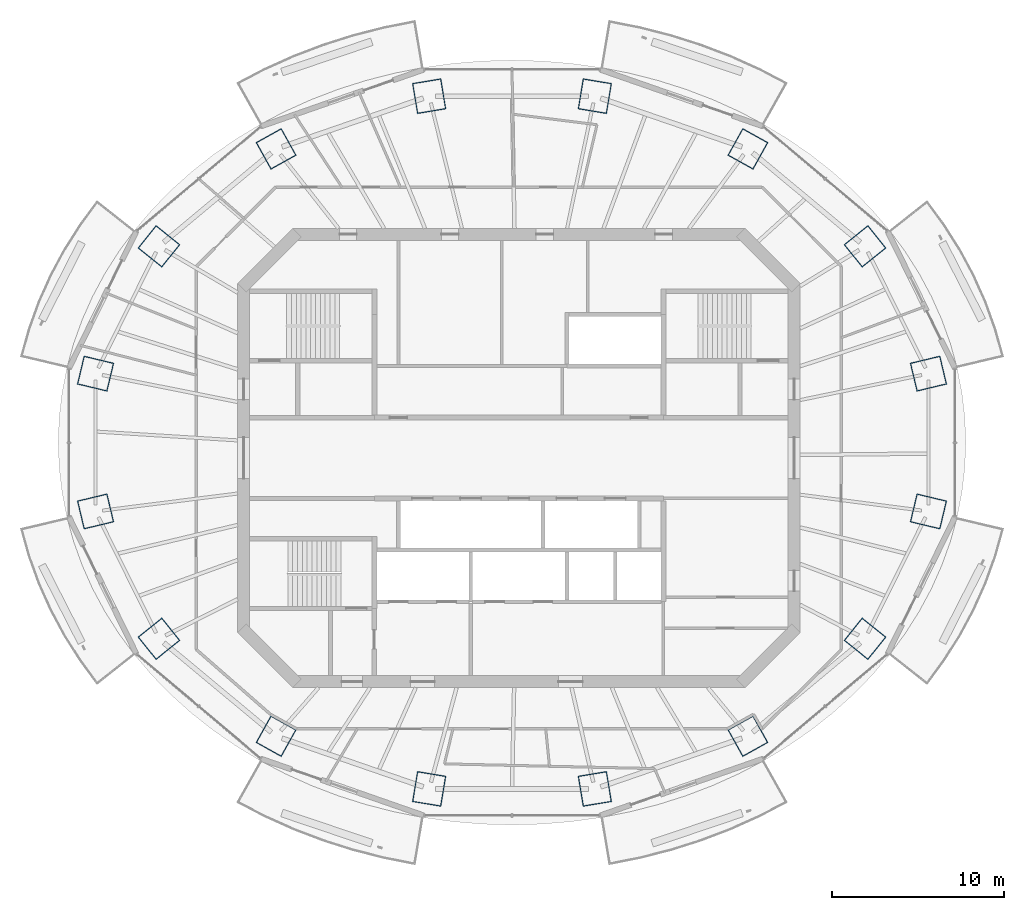
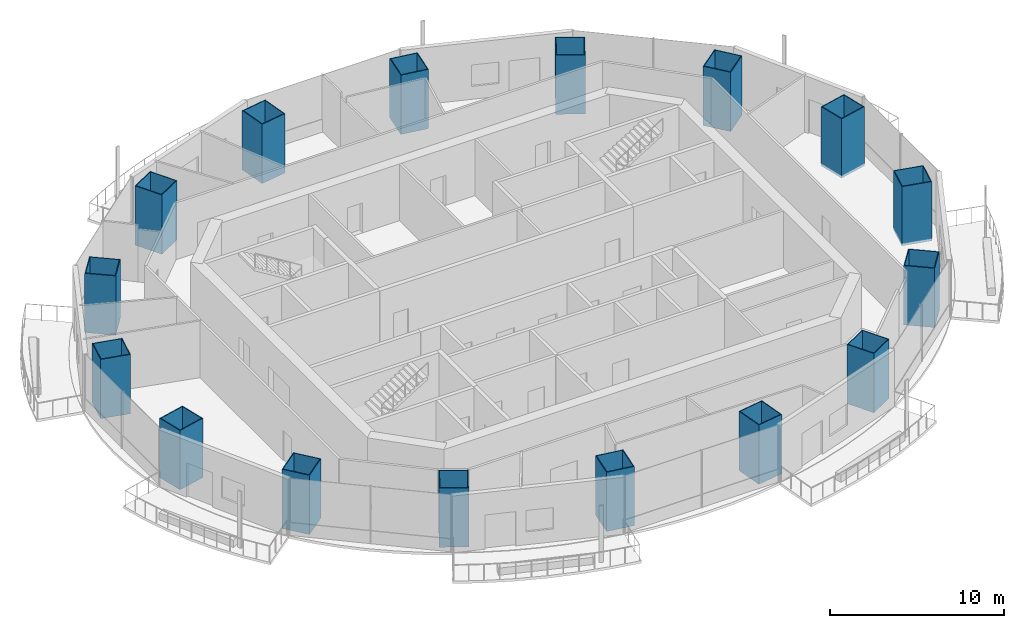
# One storey, part 1 of 16: 16 columns.
"""IFC4 building model written with IfcOpenShell, lengths in metres."""

from ifc_helpers import new_model, si_unit, direction, frame, origin, origin_2d, place, context, subcontext, project, spatial, rectangle, hollow_rectangle, extrude, material, material_profile, profile_set, type_object, element, save


model = new_model("IFC4")

# Units and contexts
model_context = context("Model", 3, precision=1e-05, world=origin(), true_north=direction((0.0, 1.0)))
body_context = subcontext(model_context, "Body", "Model", "MODEL_VIEW")
ifc_project = project(units=[si_unit("LENGTHUNIT", "METRE"), si_unit("AREAUNIT", "SQUARE_METRE"), si_unit("VOLUMEUNIT", "CUBIC_METRE"), si_unit("PLANEANGLEUNIT", "RADIAN"), si_unit("MASSUNIT", "GRAM", prefix="KILO")], contexts=[model_context])

# Site, building, storey
site_placement = place(None, origin())
site = spatial("IfcSite", under=ifc_project, at=site_placement, CompositionType="ELEMENT")
building_placement = place(site_placement, origin())
building = spatial("IfcBuilding", under=site, at=building_placement, Name="Marenthal Gate Tower", CompositionType="ELEMENT")
storey_placement = place(building_placement, frame((0.0, 0.0, 367.5)))
storey = spatial("IfcBuildingStorey", under=building, at=storey_placement, Name="L83", CompositionType="ELEMENT", Elevation=367.5)

# Columns
ifc_material_1 = material(Name="Steel S460", Category="steel")
ifc_material_profile_1 = material_profile(ifc_material_1, hollow_rectangle(XDim=1.699951171875, YDim=1.800048828125, WallThickness=0.050048828125, at=origin_2d()), Name="CFT BOX 1800X1700X50")
ifc_material_2 = material(Name="Concrete 70 MPa", Category="concrete")
ifc_material_profile_2 = material_profile(ifc_material_2, rectangle(XDim=1.60009765625, YDim=1.699951171875, at=origin_2d()), Name="CFT BOX 1800X1700X50 INFILL")
ifc_profile_set = profile_set([ifc_material_profile_1, ifc_material_profile_2], Name="Steel S460 shell, Concrete 70 MPa infill")
column_type = type_object("IfcColumnType", Name="CFT BOX 1800X1700X50", PredefinedType="COLUMN", material=ifc_profile_set)
for number, where, z_axis, x_axis, name in (
    (1, (23.810791015625, 4.905517578125, -0.179931640625), (0.0, 0.0, 1.0), (0.232598419702, -0.972572863673, 0.0), "COL-L83-01"),
    (2, (20.124755859375, 12.306396484375, -0.179931640625), (0.0, 0.0, 1.0), (0.626296357122, -0.779585064669, 0.0), "COL-L83-02"),
    (3, (13.314208984375, 17.970947265625, -0.179931640625), (0.0, 0.0, 1.0), (0.874089493808, -0.485764919291, 0.0), "COL-L83-03"),
    (4, (4.415771484375, 21.03662109375, -0.179931640625), (0.0, 0.0, 1.0), (0.986589544528, -0.163220925828, 0.0), "COL-L83-04"),
    (5, (-5.2158203125, 21.03662109375, -0.179931640625), (0.0, 0.0, 1.0), (0.986589544528, 0.163220925828, 0.0), "COL-L83-05"),
    (6, (-14.1142578125, 17.970947265625, -0.179931640625), (0.0, 0.0, 1.0), (0.874089493808, 0.485764919291, 0.0), "COL-L83-06"),
    (7, (-20.9248046875, 12.306396484375, -0.179931640625), (0.0, 0.0, 1.0), (0.626296357122, 0.779585064669, 0.0), "COL-L83-07"),
    (8, (-24.610595703125, 4.905517578125, -0.179931640625), (0.0, 0.0, 1.0), (0.232598419702, 0.972572863673, 0.0), "COL-L83-08"),
    (9, (-24.610595703125, -3.10546875, -0.179931640625), (0.0, 0.0, 1.0), (-0.232598419702, 0.972572863673, 0.0), "COL-L83-09"),
    (10, (-20.9248046875, -10.50634765625, -0.179931640625), (0.0, 0.0, 1.0), (-0.626296357122, 0.779585064669, 0.0), "COL-L83-10"),
    (11, (-14.1142578125, -16.1708984375, -0.179931640625), (0.0, 0.0, 1.0), (-0.874089493808, 0.485764919291, 0.0), "COL-L83-11"),
    (12, (-5.2158203125, -19.236572265625, -0.179931640625), (0.0, 0.0, 1.0), (-0.986589544528, 0.163220925828, 0.0), "COL-L83-12"),
    (13, (4.415771484375, -19.236572265625, -0.179931640625), (0.0, 0.0, 1.0), (-0.986589544528, -0.163220925828, 0.0), "COL-L83-13"),
    (14, (13.314208984375, -16.1708984375, -0.179931640625), (0.0, 0.0, 1.0), (-0.874089493808, -0.485764919291, 0.0), "COL-L83-14"),
    (15, (20.124755859375, -10.50634765625, -0.179931640625), (0.0, 0.0, 1.0), (-0.626296357122, -0.779585064669, 0.0), "COL-L83-15"),
    (16, (23.810791015625, -3.10546875, -0.179931640625), (0.0, 0.0, 1.0), (-0.232598419702, -0.972572863673, 0.0), "COL-L83-16"),
):
    element("IfcColumn", number, at=place(storey_placement, frame(where, z_axis=z_axis, x_axis=x_axis)), inside=storey, type_object=column_type, Name=name, PredefinedType="COLUMN", context=body_context, shape_type="SweptSolid", body=[
        extrude(hollow_rectangle(XDim=1.699951171875, YDim=1.800048828125, WallThickness=0.050048828125, at=origin_2d()), origin(), (0.0, 0.0, 1.0), 4.14990234375),
    ])

save(model, "model.ifc")
